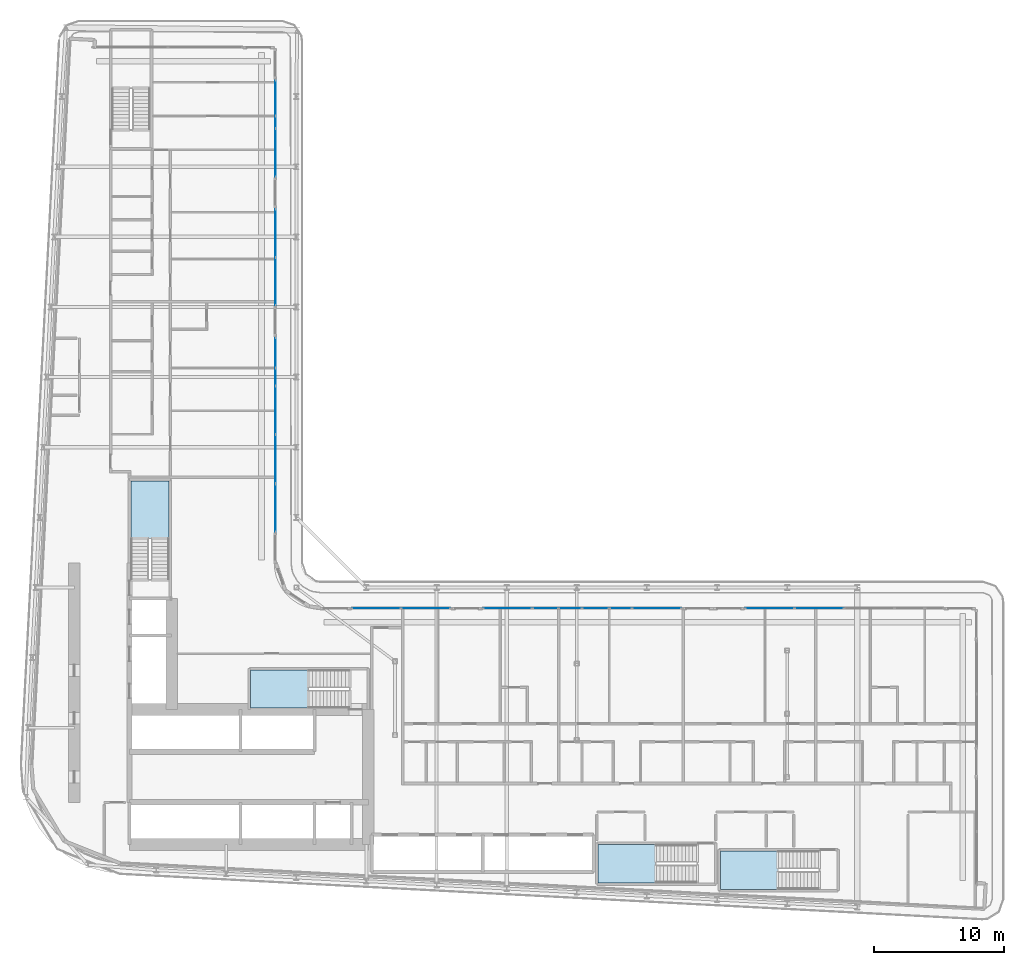
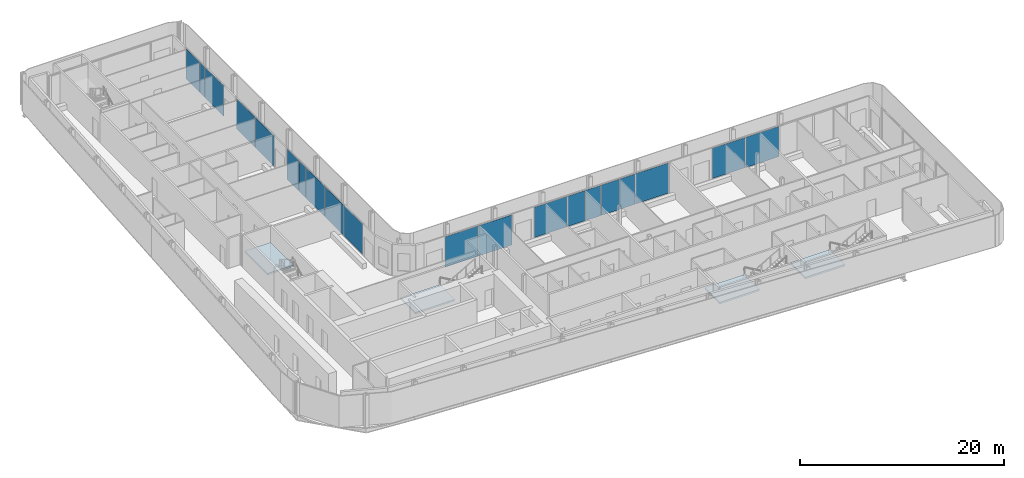
# One storey, part 10 of 27: 20 plates, 4 slabs, 12 elements without a shape of their own.
"""IFC4 building model written with IfcOpenShell, lengths in metres."""

from ifc_helpers import new_model, si_unit, direction, frame, origin, origin_2d, place, context, subcontext, project, spatial, polyline, rectangle, outline, extrude, material, layer, layer_set, type_object, element, aggregate, save


model = new_model("IFC4")

# Units and contexts
model_context = context("Model", 3, precision=1e-05, world=origin(), true_north=direction((0.0, 1.0)))
body_context = subcontext(model_context, "Body", "Model", "MODEL_VIEW")
ifc_project = project(units=[si_unit("LENGTHUNIT", "METRE"), si_unit("AREAUNIT", "SQUARE_METRE"), si_unit("VOLUMEUNIT", "CUBIC_METRE"), si_unit("PLANEANGLEUNIT", "RADIAN"), si_unit("MASSUNIT", "GRAM", prefix="KILO")], contexts=[model_context])

# Site, building, storey
site_placement = place(None, origin())
site = spatial("IfcSite", under=ifc_project, at=site_placement, CompositionType="ELEMENT")
building_placement = place(site_placement, origin())
building = spatial("IfcBuilding", under=site, at=building_placement, Name="Kheshtan School and Residences Tower", CompositionType="ELEMENT")
storey_placement = place(building_placement, frame((0.0, 0.0, 101.89990234375)))
storey = spatial("IfcBuildingStorey", under=building, at=storey_placement, Name="L23", CompositionType="ELEMENT", Elevation=101.89990234375)

# Curtain wall, plates
ifc_material_1 = material(Name="Clear low-e glass in thermally broken aluminium frame", Category="aluminium")
ifc_layer_1 = layer(ifc_material_1, 0.199951171875)
ifc_layer_set_1 = layer_set([ifc_layer_1], Name="Curtain wall CW-L")
curtain_wall_type = type_object("IfcCurtainWallType", Name="Curtain wall CW-L", PredefinedType="NOTDEFINED", material=ifc_layer_set_1)
curtain_wall_1_placement = place(storey_placement, origin())
curtain_wall_1 = element("IfcCurtainWall", 1, at=curtain_wall_1_placement, inside=storey, type_object=curtain_wall_type, Name="Curtain wall CWL4", PredefinedType="NOTDEFINED")
ifc_layer_2 = layer(ifc_material_1, 0.031982421875)
ifc_layer_set_2 = layer_set([ifc_layer_2], Name="CW-L glass panel")
plate_type = type_object("IfcPlateType", Name="CW-L glass panel", PredefinedType="CURTAIN_PANEL", material=ifc_layer_set_2)
plate_1_placement = place(storey_placement, frame((46.0, 83.284912109375, 0.000244140625), z_axis=(0.0, 0.0, 1.0), x_axis=(0.0, -1.0, 0.0)))
plate_1 = element("IfcPlate", 2, at=plate_1_placement, type_object=plate_type, Name="CWL4 panel 1.1", PredefinedType="CURTAIN_PANEL", context=body_context, shape_type="SweptSolid", body=[
    extrude(rectangle(XDim=2.7099609375, YDim=0.031982421875, at=origin_2d()), origin(), (0.0, 0.0, 1.0), 3.6298828125),
])
plate_2_placement = place(storey_placement, frame((46.0, 81.420654296875, 0.000244140625), z_axis=(0.0, 0.0, 1.0), x_axis=(0.0, -1.0, 0.0)))
plate_2 = element("IfcPlate", 3, at=plate_2_placement, type_object=plate_type, Name="CWL4 panel 2.1", PredefinedType="CURTAIN_PANEL", context=body_context, shape_type="SweptSolid", body=[
    extrude(rectangle(XDim=0.898681640625, YDim=0.031982421875, at=origin_2d()), origin(), (0.0, 0.0, 1.0), 3.6298828125),
])
plate_3_placement = place(storey_placement, frame((46.0, 79.076904296875, 0.000244140625), z_axis=(0.0, 0.0, 1.0), x_axis=(0.0, -1.0, 0.0)))
plate_3 = element("IfcPlate", 4, at=plate_3_placement, type_object=plate_type, Name="CWL4 panel 3.1", PredefinedType="CURTAIN_PANEL", context=body_context, shape_type="SweptSolid", body=[
    extrude(rectangle(XDim=3.668701171875, YDim=0.031982421875, at=origin_2d()), origin(), (0.0, 0.0, 1.0), 3.6298828125),
])
aggregate(curtain_wall_1, [plate_1, plate_2, plate_3])

curtain_wall_2_placement = place(storey_placement, origin())
curtain_wall_2 = element("IfcCurtainWall", 5, at=curtain_wall_2_placement, inside=storey, type_object=curtain_wall_type, Name="Curtain wall CWL4a", PredefinedType="NOTDEFINED")
plate_4_placement = place(storey_placement, frame((46.0, 72.88818359375, 0.000244140625), z_axis=(0.0, 0.0, 1.0), x_axis=(0.0, -1.0, 0.0)))
plate_4 = element("IfcPlate", 6, at=plate_4_placement, type_object=plate_type, Name="CWL4a panel 1.1", PredefinedType="CURTAIN_PANEL", context=body_context, shape_type="SweptSolid", body=[
    extrude(rectangle(XDim=3.668701171875, YDim=0.031982421875, at=origin_2d()), origin(), (0.0, 0.0, 1.0), 3.6298828125),
])
plate_5_placement = place(storey_placement, frame((46.0, 69.159423828125, 0.000244140625), z_axis=(0.0, 0.0, 1.0), x_axis=(0.0, -1.0, 0.0)))
plate_5 = element("IfcPlate", 7, at=plate_5_placement, type_object=plate_type, Name="CWL4a panel 2.1", PredefinedType="CURTAIN_PANEL", context=body_context, shape_type="SweptSolid", body=[
    extrude(rectangle(XDim=3.668701171875, YDim=0.031982421875, at=origin_2d()), origin(), (0.0, 0.0, 1.0), 3.6298828125),
])
aggregate(curtain_wall_2, [plate_4, plate_5])

curtain_wall_3_placement = place(storey_placement, origin())
curtain_wall_3 = element("IfcCurtainWall", 8, at=curtain_wall_3_placement, inside=storey, type_object=curtain_wall_type, Name="Curtain wall CWL4", PredefinedType="NOTDEFINED")
plate_6_placement = place(storey_placement, frame((46.0, 63.66748046875, 0.000244140625), z_axis=(0.0, 0.0, 1.0), x_axis=(0.0, -1.0, 0.0)))
plate_6 = element("IfcPlate", 9, at=plate_6_placement, type_object=plate_type, Name="CWL4 panel 1.1", PredefinedType="CURTAIN_PANEL", context=body_context, shape_type="SweptSolid", body=[
    extrude(rectangle(XDim=2.27490234375, YDim=0.031982421875, at=origin_2d()), origin(), (0.0, 0.0, 1.0), 3.6298828125),
])
plate_7_placement = place(storey_placement, frame((46.0, 61.80322265625, 0.000244140625), z_axis=(0.0, 0.0, 1.0), x_axis=(0.0, -1.0, 0.0)))
plate_7 = element("IfcPlate", 10, at=plate_7_placement, type_object=plate_type, Name="CWL4 panel 2.1", PredefinedType="CURTAIN_PANEL", context=body_context, shape_type="SweptSolid", body=[
    extrude(rectangle(XDim=1.333740234375, YDim=0.031982421875, at=origin_2d()), origin(), (0.0, 0.0, 1.0), 3.6298828125),
])
plate_8_placement = place(storey_placement, frame((46.0, 59.241943359375, 0.000244140625), z_axis=(0.0, 0.0, 1.0), x_axis=(0.0, -1.0, 0.0)))
plate_8 = element("IfcPlate", 11, at=plate_8_placement, type_object=plate_type, Name="CWL4 panel 3.1", PredefinedType="CURTAIN_PANEL", context=body_context, shape_type="SweptSolid", body=[
    extrude(rectangle(XDim=3.668701171875, YDim=0.031982421875, at=origin_2d()), origin(), (0.0, 0.0, 1.0), 3.6298828125),
])
aggregate(curtain_wall_3, [plate_6, plate_7, plate_8])

curtain_wall_4_placement = place(storey_placement, origin())
curtain_wall_4 = element("IfcCurtainWall", 12, at=curtain_wall_4_placement, inside=storey, type_object=curtain_wall_type, Name="Curtain wall CWL4a", PredefinedType="NOTDEFINED")
plate_9_placement = place(storey_placement, frame((46.0, 55.483154296875, 0.000244140625), z_axis=(0.0, 0.0, 1.0), x_axis=(0.0, -1.0, 0.0)))
plate_9 = element("IfcPlate", 13, at=plate_9_placement, type_object=plate_type, Name="CWL4a panel 1.1", PredefinedType="CURTAIN_PANEL", context=body_context, shape_type="SweptSolid", body=[
    extrude(rectangle(XDim=3.728759765625, YDim=0.031982421875, at=origin_2d()), origin(), (0.0, 0.0, 1.0), 3.6298828125),
])
plate_10_placement = place(storey_placement, frame((46.0, 51.724365234375, 0.000244140625), z_axis=(0.0, 0.0, 1.0), x_axis=(0.0, -1.0, 0.0)))
plate_10 = element("IfcPlate", 14, at=plate_10_placement, type_object=plate_type, Name="CWL4a panel 2.1", PredefinedType="CURTAIN_PANEL", context=body_context, shape_type="SweptSolid", body=[
    extrude(rectangle(XDim=3.668701171875, YDim=0.031982421875, at=origin_2d()), origin(), (0.0, 0.0, 1.0), 3.6298828125),
])
aggregate(curtain_wall_4, [plate_9, plate_10])

curtain_wall_5_placement = place(storey_placement, origin())
curtain_wall_5 = element("IfcCurtainWall", 15, at=curtain_wall_5_placement, inside=storey, type_object=curtain_wall_type, Name="Curtain wall CWL8", PredefinedType="NOTDEFINED")
plate_11_placement = place(storey_placement, frame((53.7685546875, 44.0, 0.000244140625), z_axis=(0.0, 0.0, 1.0), x_axis=(1.0, 0.0, 0.0)))
plate_11 = element("IfcPlate", 16, at=plate_11_placement, type_object=plate_type, Name="CWL8 panel 1.1", PredefinedType="CURTAIN_PANEL", context=body_context, shape_type="SweptSolid", body=[
    extrude(rectangle(XDim=3.757080078125, YDim=0.031982421875, at=origin_2d()), origin(), (0.0, 0.0, 1.0), 3.6298828125),
])
plate_12_placement = place(storey_placement, frame((57.58544921875, 44.0, 0.000244140625), z_axis=(0.0, 0.0, 1.0), x_axis=(1.0, 0.0, 0.0)))
plate_12 = element("IfcPlate", 17, at=plate_12_placement, type_object=plate_type, Name="CWL8 panel 2.1", PredefinedType="CURTAIN_PANEL", context=body_context, shape_type="SweptSolid", body=[
    extrude(rectangle(XDim=3.757080078125, YDim=0.031982421875, at=origin_2d()), origin(), (0.0, 0.0, 1.0), 3.6298828125),
])
aggregate(curtain_wall_5, [plate_11, plate_12])

curtain_wall_6_placement = place(storey_placement, origin())
curtain_wall_6 = element("IfcCurtainWall", 18, at=curtain_wall_6_placement, inside=storey, type_object=curtain_wall_type, Name="Curtain wall CWL8c", PredefinedType="NOTDEFINED")
plate_13_placement = place(storey_placement, frame((63.862548828125, 44.0, 0.000244140625), z_axis=(0.0, 0.0, 1.0), x_axis=(1.0, 0.0, 0.0)))
plate_13 = element("IfcPlate", 19, at=plate_13_placement, type_object=plate_type, Name="CWL8c panel 1.1", PredefinedType="CURTAIN_PANEL", context=body_context, shape_type="SweptSolid", body=[
    extrude(rectangle(XDim=3.757080078125, YDim=0.031982421875, at=origin_2d()), origin(), (0.0, 0.0, 1.0), 3.6298828125),
])
plate_14_placement = place(storey_placement, frame((66.785400390625, 44.0, 0.000244140625), z_axis=(0.0, 0.0, 1.0), x_axis=(1.0, 0.0, 0.0)))
plate_14 = element("IfcPlate", 20, at=plate_14_placement, type_object=plate_type, Name="CWL8c panel 2.1", PredefinedType="CURTAIN_PANEL", context=body_context, shape_type="SweptSolid", body=[
    extrude(rectangle(XDim=1.968994140625, YDim=0.031982421875, at=origin_2d()), origin(), (0.0, 0.0, 1.0), 3.6298828125),
])
plate_15_placement = place(storey_placement, frame((68.694091796875, 44.0, 0.000244140625), z_axis=(0.0, 0.0, 1.0), x_axis=(1.0, 0.0, 0.0)))
plate_15 = element("IfcPlate", 21, at=plate_15_placement, type_object=plate_type, Name="CWL8c panel 3.1", PredefinedType="CURTAIN_PANEL", context=body_context, shape_type="SweptSolid", body=[
    extrude(rectangle(XDim=1.72802734375, YDim=0.031982421875, at=origin_2d()), origin(), (0.0, 0.0, 1.0), 3.6298828125),
])
aggregate(curtain_wall_6, [plate_13, plate_14, plate_15])

curtain_wall_7_placement = place(storey_placement, origin())
curtain_wall_7 = element("IfcCurtainWall", 22, at=curtain_wall_7_placement, inside=storey, type_object=curtain_wall_type, Name="Curtain wall CWL8c", PredefinedType="NOTDEFINED")
plate_16_placement = place(storey_placement, frame((70.64404296875, 44.0, 0.000244140625), z_axis=(0.0, 0.0, 1.0), x_axis=(1.0, 0.0, 0.0)))
plate_16 = element("IfcPlate", 23, at=plate_16_placement, type_object=plate_type, Name="CWL8c panel 1.1", PredefinedType="CURTAIN_PANEL", context=body_context, shape_type="SweptSolid", body=[
    extrude(rectangle(XDim=2.052001953125, YDim=0.031982421875, at=origin_2d()), origin(), (0.0, 0.0, 1.0), 3.6298828125),
])
plate_17_placement = place(storey_placement, frame((72.58251953125, 44.0, 0.000244140625), z_axis=(0.0, 0.0, 1.0), x_axis=(1.0, 0.0, 0.0)))
plate_17 = element("IfcPlate", 24, at=plate_17_placement, type_object=plate_type, Name="CWL8c panel 2.1", PredefinedType="CURTAIN_PANEL", context=body_context, shape_type="SweptSolid", body=[
    extrude(rectangle(XDim=1.705078125, YDim=0.031982421875, at=origin_2d()), origin(), (0.0, 0.0, 1.0), 3.6298828125),
])
plate_18_placement = place(storey_placement, frame((75.37353515625, 44.0, 0.000244140625), z_axis=(0.0, 0.0, 1.0), x_axis=(1.0, 0.0, 0.0)))
plate_18 = element("IfcPlate", 25, at=plate_18_placement, type_object=plate_type, Name="CWL8c panel 3.1", PredefinedType="CURTAIN_PANEL", context=body_context, shape_type="SweptSolid", body=[
    extrude(rectangle(XDim=3.757080078125, YDim=0.031982421875, at=origin_2d()), origin(), (0.0, 0.0, 1.0), 3.6298828125),
])
aggregate(curtain_wall_7, [plate_16, plate_17, plate_18])

curtain_wall_8_placement = place(storey_placement, origin())
curtain_wall_8 = element("IfcCurtainWall", 26, at=curtain_wall_8_placement, inside=storey, type_object=curtain_wall_type, Name="Curtain wall CWL8", PredefinedType="NOTDEFINED")
plate_19_placement = place(storey_placement, frame((84.050537109375, 44.0, 0.000244140625), z_axis=(0.0, 0.0, 1.0), x_axis=(1.0, 0.0, 0.0)))
plate_19 = element("IfcPlate", 27, at=plate_19_placement, type_object=plate_type, Name="CWL8 panel 1.1", PredefinedType="CURTAIN_PANEL", context=body_context, shape_type="SweptSolid", body=[
    extrude(rectangle(XDim=3.757080078125, YDim=0.031982421875, at=origin_2d()), origin(), (0.0, 0.0, 1.0), 3.6298828125),
])
plate_20_placement = place(storey_placement, frame((87.867431640625, 44.0, 0.000244140625), z_axis=(0.0, 0.0, 1.0), x_axis=(1.0, 0.0, 0.0)))
plate_20 = element("IfcPlate", 28, at=plate_20_placement, type_object=plate_type, Name="CWL8 panel 2.1", PredefinedType="CURTAIN_PANEL", context=body_context, shape_type="SweptSolid", body=[
    extrude(rectangle(XDim=3.757080078125, YDim=0.031982421875, at=origin_2d()), origin(), (0.0, 0.0, 1.0), 3.6298828125),
])
aggregate(curtain_wall_8, [plate_19, plate_20])

# Stair, slab
ifc_material_2 = material(Name="Concrete C40/50", Category="concrete")
stair_type = type_object("IfcStairType", Name="Exit stair, half-turn", PredefinedType="HALF_TURN_STAIR", material=ifc_material_2)
stair_1_placement = place(storey_placement, origin())
stair_1 = element("IfcStair", 29, at=stair_1_placement, inside=storey, type_object=stair_type, Name="L23 Protected Exit Stair ST1", PredefinedType="HALF_TURN_STAIR")
ifc_layer_3 = layer(ifc_material_2, 0.199951171875)
ifc_layer_set_3 = layer_set([ifc_layer_3], Name="Stair landing 200 Concrete C40/50")
slab_type = type_object("IfcSlabType", Name="Stair landing 200 Concrete C40/50", PredefinedType="LANDING", material=ifc_layer_set_3)
slab_1_placement = place(storey_placement, frame((0.0, 0.0, 1.75)))
slab_1 = element("IfcSlab", 30, at=slab_1_placement, type_object=slab_type, Name="ST1 landing 1", PredefinedType="LANDING", context=body_context, shape_type="SweptSolid", body=[
    extrude(outline(polyline([(48.570068359375, 39.25), (44.090087890625, 39.25), (44.090087890625, 36.300048828125), (48.570068359375, 36.300048828125), (48.570068359375, 39.25)])), origin(), (0.0, 0.0, 1.0), 0.2001953125),
])
aggregate(stair_1, [slab_1])

stair_2_placement = place(storey_placement, origin())
stair_2 = element("IfcStair", 31, at=stair_2_placement, inside=storey, type_object=stair_type, Name="L23 Protected Exit Stair ST2", PredefinedType="HALF_TURN_STAIR")
slab_2_placement = place(storey_placement, frame((0.0, 0.0, 1.75)))
slab_2 = element("IfcSlab", 32, at=slab_2_placement, type_object=slab_type, Name="ST2 landing 1", PredefinedType="LANDING", context=body_context, shape_type="SweptSolid", body=[
    extrude(outline(polyline([(37.800048828125, 49.330078125), (37.800048828125, 53.81005859375), (34.85009765625, 53.81005859375), (34.85009765625, 49.330078125), (37.800048828125, 49.330078125)])), origin(), (0.0, 0.0, 1.0), 0.2001953125),
])
aggregate(stair_2, [slab_2])

stair_3_placement = place(storey_placement, origin())
stair_3 = element("IfcStair", 33, at=stair_3_placement, inside=storey, type_object=stair_type, Name="L23 Protected Exit Stair ST4", PredefinedType="HALF_TURN_STAIR")
slab_3_placement = place(storey_placement, frame((0.0, 0.0, 1.75)))
slab_3 = element("IfcSlab", 34, at=slab_3_placement, type_object=slab_type, Name="ST4 landing 1", PredefinedType="LANDING", context=body_context, shape_type="SweptSolid", body=[
    extrude(outline(polyline([(84.739990234375, 25.300048828125), (80.260009765625, 25.300048828125), (80.260009765625, 22.35009765625), (84.739990234375, 22.35009765625), (84.739990234375, 25.300048828125)])), origin(), (0.0, 0.0, 1.0), 0.2001953125),
])
aggregate(stair_3, [slab_3])

stair_4_placement = place(storey_placement, origin())
stair_4 = element("IfcStair", 35, at=stair_4_placement, inside=storey, type_object=stair_type, Name="L23 Protected Exit Stair ST5", PredefinedType="HALF_TURN_STAIR")
slab_4_placement = place(storey_placement, frame((0.0, 0.0, 1.75)))
slab_4 = element("IfcSlab", 36, at=slab_4_placement, type_object=slab_type, Name="ST5 landing 1", PredefinedType="LANDING", context=body_context, shape_type="SweptSolid", body=[
    extrude(outline(polyline([(75.330078125, 25.800048828125), (70.85009765625, 25.800048828125), (70.85009765625, 22.85009765625), (75.330078125, 22.85009765625), (75.330078125, 25.800048828125)])), origin(), (0.0, 0.0, 1.0), 0.2001953125),
])
aggregate(stair_4, [slab_4])

save(model, "model.ifc")
